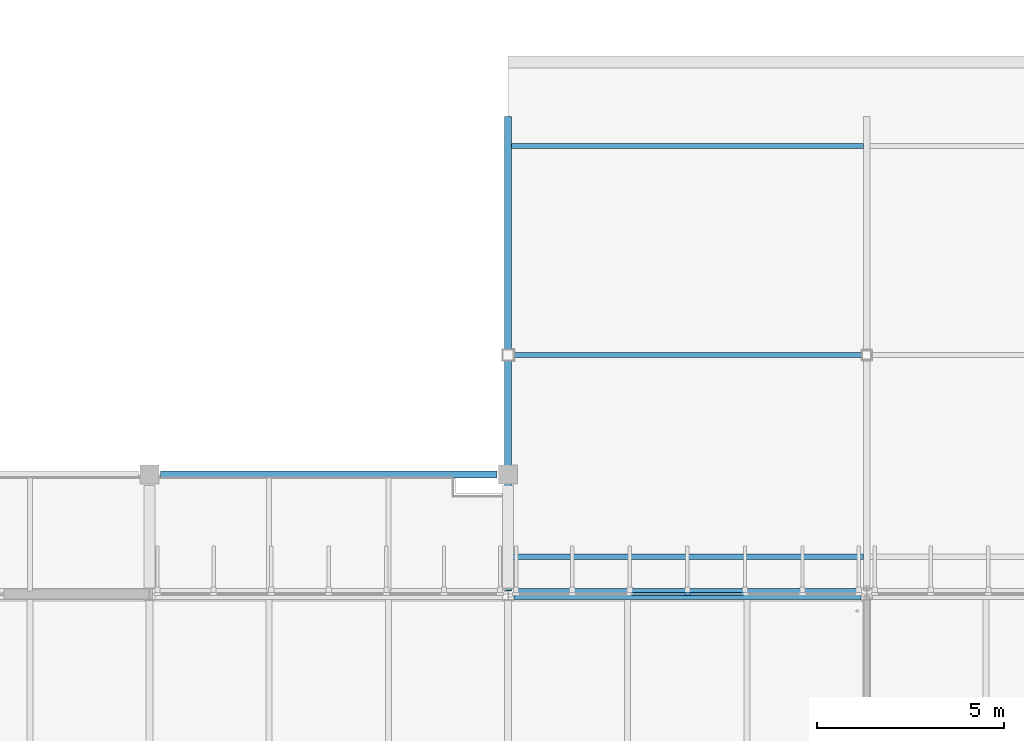
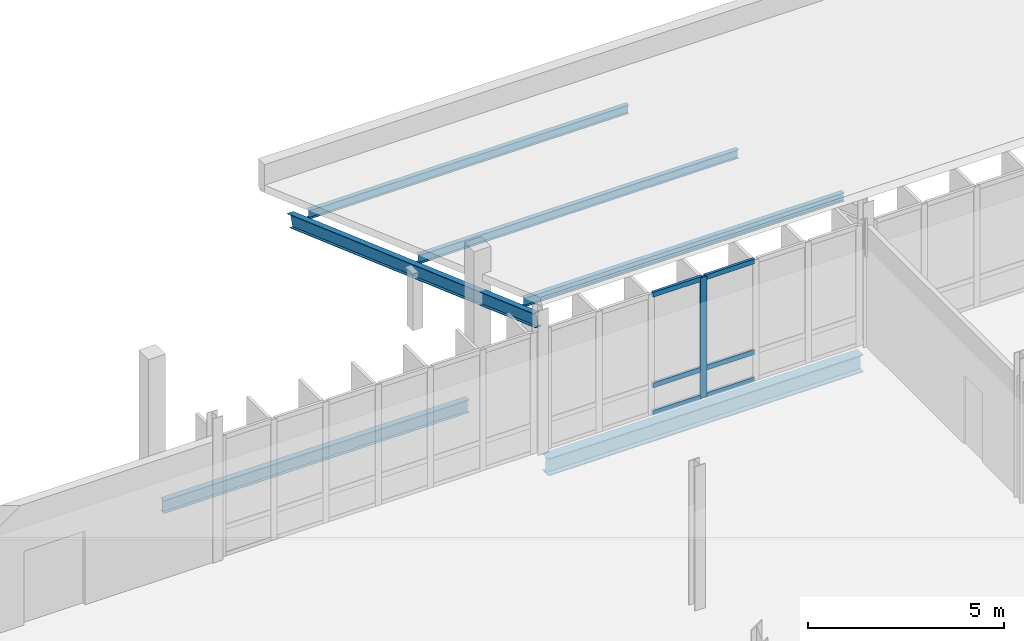
# One storey, part 25 of 107: 11 members, 2 beams, 1 element without a shape of its own.
"""IFC4 building model written with IfcOpenShell, lengths in metres."""

from ifc_helpers import new_model, si_unit, direction, frame, origin, origin_2d, place, context, subcontext, project, spatial, rectangle, i_section, extrude, material, material_profile, profile_set, type_object, element, aggregate, save


model = new_model("IFC4")

# Units and contexts
model_context = context("Model", 3, precision=1e-05, world=origin(), true_north=direction((0.0, 1.0)))
body_context = subcontext(model_context, "Body", "Model", "MODEL_VIEW")
ifc_project = project(units=[si_unit("LENGTHUNIT", "METRE"), si_unit("AREAUNIT", "SQUARE_METRE"), si_unit("VOLUMEUNIT", "CUBIC_METRE"), si_unit("PLANEANGLEUNIT", "RADIAN"), si_unit("MASSUNIT", "GRAM", prefix="KILO")], contexts=[model_context])

# Site, building, storey
site_placement = place(None, origin())
site = spatial("IfcSite", under=ifc_project, at=site_placement, CompositionType="ELEMENT")
building_placement = place(site_placement, origin())
building = spatial("IfcBuilding", under=site, at=building_placement, Name="Dunescarp Central Library", CompositionType="ELEMENT")
storey_placement = place(building_placement, frame((0.0, 0.0, 5.10009765625)))
storey = spatial("IfcBuildingStorey", under=building, at=storey_placement, Name="L01", CompositionType="ELEMENT", Elevation=5.10009765625)

# Curtain wall, members
ifc_material_1 = material(Name="Marine-grade anodised aluminium 6063-T6", Category="aluminium")
curtain_wall_type = type_object("IfcCurtainWallType", Name="ARC-CW-STICK", PredefinedType="NOTDEFINED", material=ifc_material_1)
curtain_wall_placement = place(storey_placement, origin())
curtain_wall = element("IfcCurtainWall", 1, at=curtain_wall_placement, inside=storey, type_object=curtain_wall_type, Name="L01 curtain wall CW-V2-052", PredefinedType="NOTDEFINED")
ifc_material_profile_1 = material_profile(ifc_material_1, rectangle(XDim=0.080078125, YDim=0.179931640625, at=origin_2d()), Name="AL 80x180")
ifc_profile_set_1 = profile_set([ifc_material_profile_1], Name="Marine-grade anodised aluminium 6063-T6")
member_type_1 = type_object("IfcMemberType", Name="ARC-CWM-180", PredefinedType="MULLION", material=ifc_profile_set_1)
member_1_placement = place(storey_placement, frame((62.39990234375, 36.800048828125, 0.0), z_axis=(0.0, 0.0, 1.0), x_axis=(0.0, 1.0, 0.0)))
member_1 = element("IfcMember", 2, at=member_1_placement, type_object=member_type_1, Name="CW-V2-052 mullion 4", PredefinedType="MULLION", context=body_context, shape_type="SweptSolid", body=[
    extrude(rectangle(XDim=0.080078125, YDim=0.179931640625, at=origin_2d()), origin(), (0.0, 0.0, 1.0), 3.764892578125),
])
ifc_material_profile_2 = material_profile(ifc_material_1, rectangle(XDim=0.080078125, YDim=0.14990234375, at=origin_2d()), Name="AL 80x150")
ifc_profile_set_2 = profile_set([ifc_material_profile_2], Name="Marine-grade anodised aluminium 6063-T6")
member_type_2 = type_object("IfcMemberType", Name="ARC-CWT-150", PredefinedType="USERDEFINED", material=ifc_profile_set_2)
member_2_placement = place(storey_placement, frame((60.8984375, 36.800048828125, 0.039794921875), z_axis=(1.0, 0.0, 0.0), x_axis=(0.0, 1.0, 0.0)))
member_2 = element("IfcMember", 3, at=member_2_placement, type_object=member_type_2, Name="CW-V2-052 transom 3.1", ObjectType="TRANSOM", PredefinedType="USERDEFINED", context=body_context, shape_type="SweptSolid", body=[
    extrude(rectangle(XDim=0.080078125, YDim=0.14990234375, at=origin_2d()), origin(), (0.0, 0.0, 1.0), 1.461669921875),
])
member_3_placement = place(storey_placement, frame((60.8984375, 36.800048828125, 0.89990234375), z_axis=(1.0, 0.0, 0.0), x_axis=(0.0, 1.0, 0.0)))
member_3 = element("IfcMember", 4, at=member_3_placement, type_object=member_type_2, Name="CW-V2-052 transom 3.2", ObjectType="TRANSOM", PredefinedType="USERDEFINED", context=body_context, shape_type="SweptSolid", body=[
    extrude(rectangle(XDim=0.080078125, YDim=0.14990234375, at=origin_2d()), origin(), (0.0, 0.0, 1.0), 1.461669921875),
])
member_4_placement = place(storey_placement, frame((60.8984375, 36.800048828125, 3.724853515625), z_axis=(1.0, 0.0, 0.0), x_axis=(0.0, 1.0, 0.0)))
member_4 = element("IfcMember", 5, at=member_4_placement, type_object=member_type_2, Name="CW-V2-052 transom 3.3", ObjectType="TRANSOM", PredefinedType="USERDEFINED", context=body_context, shape_type="SweptSolid", body=[
    extrude(rectangle(XDim=0.080078125, YDim=0.14990234375, at=origin_2d()), origin(), (0.0, 0.0, 1.0), 1.461669921875),
])
member_5_placement = place(storey_placement, frame((62.43994140625, 36.800048828125, 0.039794921875), z_axis=(1.0, 0.0, 0.0), x_axis=(0.0, 1.0, 0.0)))
member_5 = element("IfcMember", 6, at=member_5_placement, type_object=member_type_2, Name="CW-V2-052 transom 4.1", ObjectType="TRANSOM", PredefinedType="USERDEFINED", context=body_context, shape_type="SweptSolid", body=[
    extrude(rectangle(XDim=0.080078125, YDim=0.14990234375, at=origin_2d()), origin(), (0.0, 0.0, 1.0), 1.461669921875),
])
member_6_placement = place(storey_placement, frame((62.43994140625, 36.800048828125, 0.89990234375), z_axis=(1.0, 0.0, 0.0), x_axis=(0.0, 1.0, 0.0)))
member_6 = element("IfcMember", 7, at=member_6_placement, type_object=member_type_2, Name="CW-V2-052 transom 4.2", ObjectType="TRANSOM", PredefinedType="USERDEFINED", context=body_context, shape_type="SweptSolid", body=[
    extrude(rectangle(XDim=0.080078125, YDim=0.14990234375, at=origin_2d()), origin(), (0.0, 0.0, 1.0), 1.461669921875),
])
member_7_placement = place(storey_placement, frame((62.43994140625, 36.800048828125, 3.724853515625), z_axis=(1.0, 0.0, 0.0), x_axis=(0.0, 1.0, 0.0)))
member_7 = element("IfcMember", 8, at=member_7_placement, type_object=member_type_2, Name="CW-V2-052 transom 4.3", ObjectType="TRANSOM", PredefinedType="USERDEFINED", context=body_context, shape_type="SweptSolid", body=[
    extrude(rectangle(XDim=0.080078125, YDim=0.14990234375, at=origin_2d()), origin(), (0.0, 0.0, 1.0), 1.461669921875),
])
aggregate(curtain_wall, [member_1, member_2, member_3, member_4, member_5, member_6, member_7])

# Beam
ifc_material_2 = material(Name="Steel S355JR", Category="steel")
ifc_material_profile_3 = material_profile(ifc_material_2, i_section(OverallWidth=0.300048828125, OverallDepth=0.5400390625, WebThickness=0.012451171875, FlangeThickness=0.02392578125, at=origin_2d()), Name="HEA 550")
ifc_profile_set_3 = profile_set([ifc_material_profile_3], Name="Steel S355JR")
beam_type_1 = type_object("IfcBeamType", Name="STR-BM-IPE500", PredefinedType="BEAM", material=ifc_profile_set_3)
beam_1_placement = place(storey_placement, frame((57.75390625, 36.800048828125, -0.489990234375), z_axis=(1.0, 0.0, 0.0), x_axis=(0.0, 1.0, 0.0)))
element("IfcBeam", 9, at=beam_1_placement, inside=storey, type_object=beam_type_1, Name="L01 girder BM-L01-0382", PredefinedType="BEAM", context=body_context, shape_type="SweptSolid", body=[
    extrude(i_section(OverallWidth=0.300048828125, OverallDepth=0.5400390625, WebThickness=0.012451171875, FlangeThickness=0.02392578125, at=origin_2d()), origin(), (0.0, 0.0, 1.0), 9.2919921875),
])

# Members
ifc_material_profile_4 = material_profile(ifc_material_2, i_section(OverallWidth=0.135009765625, OverallDepth=0.27001953125, WebThickness=0.006591796875, FlangeThickness=0.01025390625, at=origin_2d()), Name="IPE 270")
ifc_profile_set_4 = profile_set([ifc_material_profile_4], Name="Steel S355JR")
member_type_3 = type_object("IfcMemberType", Name="STR-PR-IPE270", PredefinedType="PURLIN", material=ifc_profile_set_4)
for number, where, z_axis, x_axis, name in (
    (10, (57.68701171875, 37.800048828125, 4.02001953125), (1.0, 0.0, 0.0), (0.0, 1.0, 0.0), "CLN roof purlin PR-CLN-072"),
    (11, (57.68701171875, 43.199951171875, 2.0869140625), (1.0, 0.0, 0.0), (0.0, 1.0, 0.0), "CLN roof purlin PR-CLN-077"),
    (12, (57.68701171875, 48.800048828125, 0.083984375), (1.0, 0.0, 0.0), (0.0, 1.0, 0.0), "CLN roof purlin PR-CLN-082"),
):
    element("IfcMember", number, at=place(storey_placement, frame(where, z_axis=z_axis, x_axis=x_axis)), inside=storey, type_object=member_type_3, Name=name, PredefinedType="PURLIN", context=body_context, shape_type="SweptSolid", body=[
        extrude(i_section(OverallWidth=0.135009765625, OverallDepth=0.27001953125, WebThickness=0.006591796875, FlangeThickness=0.01025390625, at=origin_2d()), origin(), (0.0, 0.0, 1.0), 9.426025390625),
    ])
ifc_material_profile_5 = material_profile(ifc_material_2, i_section(OverallWidth=0.179931640625, OverallDepth=0.39990234375, WebThickness=0.008544921875, FlangeThickness=0.013427734375, at=origin_2d()), Name="IPE 400")
ifc_profile_set_5 = profile_set([ifc_material_profile_5], Name="Steel S355JR")
member_type_4 = type_object("IfcMemberType", Name="STR-RF-IPE400", PredefinedType="RAFTER", material=ifc_profile_set_5)
member_8_placement = place(storey_placement, frame((57.60009765625, 36.955078125, 3.990966796875), z_axis=(0.0, 0.941540090424, -0.336900961892), x_axis=(-1.0, 0.0, 0.0)))
element("IfcMember", 13, at=member_8_placement, inside=storey, type_object=member_type_4, Name="CLN raked roof rafter RFT-CLN-061", PredefinedType="RAFTER", context=body_context, shape_type="SweptSolid", body=[
    extrude(i_section(OverallWidth=0.179931640625, OverallDepth=0.39990234375, WebThickness=0.008544921875, FlangeThickness=0.013427734375, at=origin_2d()), origin(), (0.0, 0.0, 1.0), 13.339599609375),
])

# Beam
ifc_material_profile_6 = material_profile(ifc_material_2, i_section(OverallWidth=0.177978515625, OverallDepth=0.406494140625, WebThickness=0.0078125, FlangeThickness=0.0126953125, at=origin_2d()), Name="UB 406x178x60")
ifc_profile_set_6 = profile_set([ifc_material_profile_6], Name="Steel S355JR")
beam_type_2 = type_object("IfcBeamType", Name="STR-SP-UB406", PredefinedType="SPANDREL", material=ifc_profile_set_6)
beam_2_placement = place(storey_placement, frame((48.297119140625, 40.0, -0.39306640625), z_axis=(1.0, 0.0, 0.0), x_axis=(0.0, 1.0, 0.0)))
element("IfcBeam", 14, at=beam_2_placement, inside=storey, type_object=beam_type_2, Name="L01 girder BM-L01-1488", PredefinedType="SPANDREL", context=body_context, shape_type="SweptSolid", body=[
    extrude(i_section(OverallWidth=0.177978515625, OverallDepth=0.406494140625, WebThickness=0.0078125, FlangeThickness=0.0126953125, at=origin_2d()), origin(), (0.0, 0.0, 1.0), 9.005859375),
])

save(model, "model.ifc")
